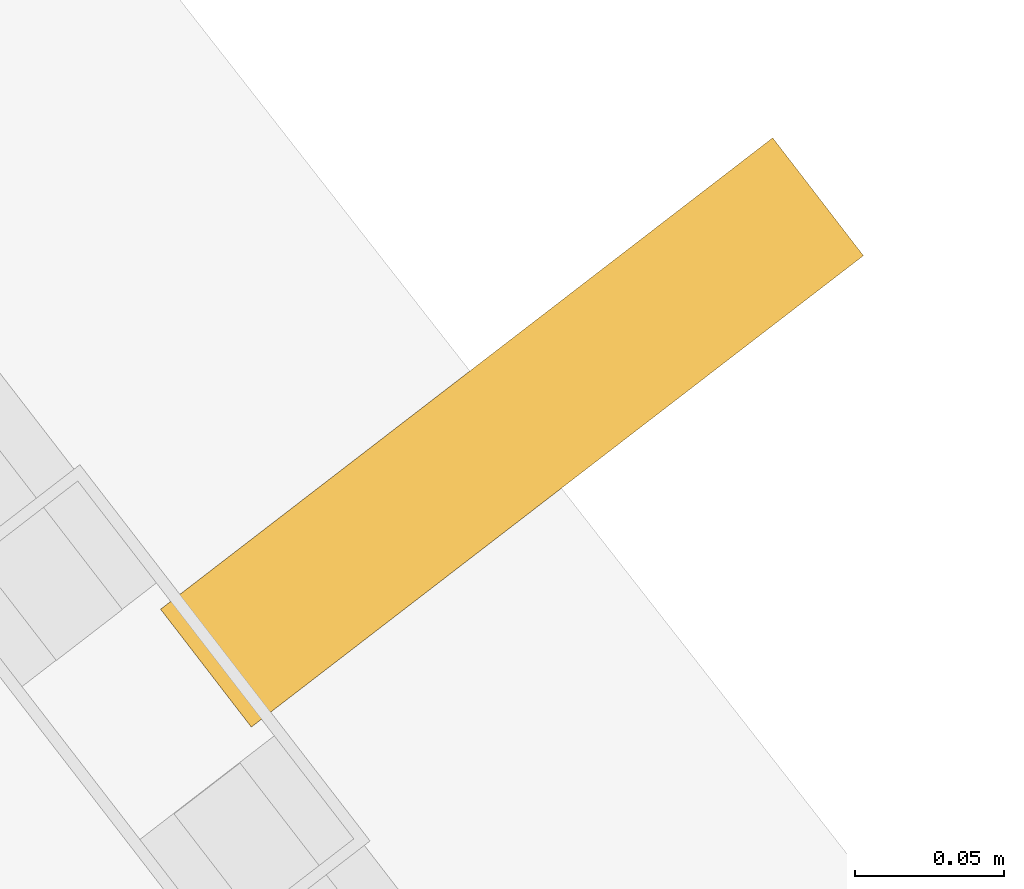
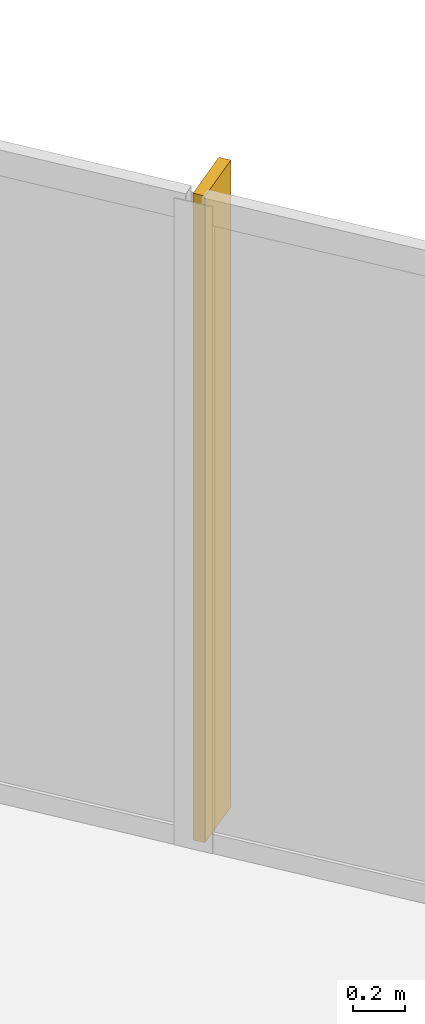
# One storey, part 30 of 30: 1 shading device.
"""IFC4 building model written with IfcOpenShell, lengths in metres."""

import ifcopenshell
import ifcopenshell.guid

model = None  # the IFC model being written
_history = None  # IfcOwnerHistory: only IFC2X3 demands one
_inside = {}  # id of a spatial element -> (the spatial element, [elements in it])
_under = {}  # id of a project, library or spatial element -> (it, [spatial elements below it])
_declared = {}  # id of a project -> (the project, [libraries it declares])
_typed = {}  # id of a type object -> (the type object, [elements of that type])
_made_of = {}  # id of a material, layer set ... -> (it, [elements and type objects made of it])


def new_model(schema):
    """Start an empty IFC model of exactly this schema.

    Asked for "IFC4X3", IfcOpenShell would pick the latest addendum, in which some entities
    have other attributes; the version numbers below select the first issue.
    IFC2X3 requires an IfcOwnerHistory on every rooted entity: one is made here for all.
    """
    global model, _history
    if schema == "IFC4X3":
        model = ifcopenshell.file(schema_version=(4, 3, 0, 0))
    else:
        model = ifcopenshell.file(schema=schema)
    _inside.clear()
    _under.clear()
    _declared.clear()
    _typed.clear()
    _made_of.clear()
    _history = None
    if model.schema == "IFC2X3":
        org = make("IfcOrganization", Name="unknown")
        user = make(
            "IfcPersonAndOrganization",
            ThePerson=make("IfcPerson", FamilyName="unknown"),
            TheOrganization=org,
        )
        app = make(
            "IfcApplication",
            ApplicationDeveloper=org,
            Version="unknown",
            ApplicationFullName="unknown",
            ApplicationIdentifier="unknown",
        )
        _history = make(
            "IfcOwnerHistory",
            OwningUser=user,
            OwningApplication=app,
            ChangeAction="ADDED",
            CreationDate=0,
        )
    return model


def make(cls, **values):
    """One entity of the class cls with the attributes given. An attribute that is None is left unset."""
    return model.create_entity(
        cls, **{name: value for name, value in values.items() if value is not None}
    )


def rooted(cls, **values):
    """An entity with a GlobalId (a new one), such as an element, a storey or a relation."""
    return make(cls, GlobalId=ifcopenshell.guid.new(), OwnerHistory=_history, **values)


def si_unit(unit_type, name, prefix=None):
    """IfcSIUnit, for example si_unit("LENGTHUNIT", "METRE", prefix="MILLI")."""
    return make("IfcSIUnit", UnitType=unit_type, Prefix=prefix, Name=name)


def assignment(units):
    """IfcUnitAssignment: the units of a project."""
    return None if units is None else make("IfcUnitAssignment", Units=units)


def point(xyz):
    """IfcCartesianPoint."""
    return None if xyz is None else make("IfcCartesianPoint", Coordinates=xyz)


def direction(xyz):
    """IfcDirection."""
    return None if xyz is None else make("IfcDirection", DirectionRatios=xyz)


def frame(location, z_axis=None, x_axis=None):
    """IfcAxis2Placement3D, a coordinate frame: its origin and axes. An axis left out is left unset."""
    return make(
        "IfcAxis2Placement3D",
        Location=point(location),
        Axis=direction(z_axis),
        RefDirection=direction(x_axis),
    )


def frame_2d(location, x_axis=None):
    """IfcAxis2Placement2D, a coordinate frame in the plane: its origin and x axis."""
    return make(
        "IfcAxis2Placement2D", Location=point(location), RefDirection=direction(x_axis)
    )


def origin():
    """The frame at (0, 0, 0) with its axes left unset."""
    return frame((0.0, 0.0, 0.0))


def origin_2d():
    """The frame at (0, 0) in the plane with its x axis left unset."""
    return frame_2d((0.0, 0.0))


def place(relative_to, where):
    """IfcLocalPlacement: puts the frame where relative to a parent placement (None: the world)."""
    return make(
        "IfcLocalPlacement", PlacementRelTo=relative_to, RelativePlacement=where
    )


def context(
    kind, dimensions, precision=None, world=None, true_north=None, identifier=None
):
    """IfcGeometricRepresentationContext, for example the 3D "Model" context."""
    return make(
        "IfcGeometricRepresentationContext",
        ContextIdentifier=identifier,
        ContextType=kind,
        CoordinateSpaceDimension=dimensions,
        Precision=precision,
        WorldCoordinateSystem=world,
        TrueNorth=true_north,
    )


def subcontext(parent, identifier, kind, view, scale=None):
    """IfcGeometricRepresentationSubContext, for example "Body" below "Model"."""
    return make(
        "IfcGeometricRepresentationSubContext",
        ContextIdentifier=identifier,
        ContextType=kind,
        ParentContext=parent,
        TargetScale=scale,
        TargetView=view,
    )


def project(units=None, contexts=None):
    """IfcProject with its units and contexts."""
    return rooted(
        "IfcProject",
        Name="project",
        RepresentationContexts=contexts,
        UnitsInContext=assignment(units),
    )


def spatial(cls, under=None, at=None, **own):
    """A site, building, storey or space (cls), placed at a placement, below another one or the project."""
    s = rooted(cls, ObjectPlacement=at, **own)
    if under is not None:
        _under.setdefault(under.id(), (under, []))[1].append(s)
    return s


def profile(cls, at=None, kind="AREA", **sizes):
    """A parametric profile (cls). Its sizes go by their IFC names, for example OverallWidth=200.0."""
    return make(cls, ProfileType=kind, Position=at, **sizes)


def rectangle(**sizes):
    """IfcRectangleProfileDef."""
    return profile("IfcRectangleProfileDef", **sizes)


def extrude(swept, where, along, depth):
    """IfcExtrudedAreaSolid: the profile swept, set in the frame where, extruded along a direction by depth."""
    return make(
        "IfcExtrudedAreaSolid",
        SweptArea=swept,
        Position=where,
        ExtrudedDirection=direction(along),
        Depth=depth,
    )


def shape(context_of_items, identifier, shape_type, items):
    """IfcShapeRepresentation: the items that make up one representation, for example the "Body"."""
    return make(
        "IfcShapeRepresentation",
        ContextOfItems=context_of_items,
        RepresentationIdentifier=identifier,
        RepresentationType=shape_type,
        Items=items,
    )


def material(Name=None, Category=None):
    """IfcMaterial."""
    return make("IfcMaterial", Name=Name, Category=Category)


def layer(
    of_material, thickness, ventilated=None, Name=None, Category=None, Priority=None
):
    """IfcMaterialLayer: one layer of a wall or slab, of a material (None: an air gap)."""
    return make(
        "IfcMaterialLayer",
        Material=of_material,
        LayerThickness=thickness,
        IsVentilated=ventilated,
        Name=Name,
        Category=Category,
        Priority=Priority,
    )


def layer_set(layers, Name=None):
    """IfcMaterialLayerSet."""
    return make("IfcMaterialLayerSet", MaterialLayers=layers, LayerSetName=Name)


def made_of(thing, what):
    """Note that an element or type object is made of a material, layer set ...; save() writes the relation."""
    if what is not None:
        _made_of.setdefault(what.id(), (what, []))[1].append(thing)
    return thing


def type_object(cls, material=None, **own):
    """A type object (cls), such as IfcWallType, which elements share."""
    return made_of(rooted(cls, **own), material)


def element(
    cls,
    number,
    at=None,
    inside=None,
    cuts=None,
    type_object=None,
    material=None,
    context=None,
    identifier="Body",
    shape_type=None,
    held_by="IfcProductDefinitionShape",
    body=None,
    shapes=None,
    **own,
):
    """One element of the class cls, such as IfcWall. Its Tag is "e" and its number.

    at: its placement. inside: the storey or other place that contains it. cuts: it is an
    opening in that element (IfcRelVoidsElement). A single representation is given by context,
    identifier, shape_type and body (its items); several are given by shapes. held_by: the class
    of the entity that holds the representations. save() writes the other relations.
    """
    e = rooted(cls, Tag="e%d" % number, ObjectPlacement=at, **own)
    if body is not None:
        shapes = [shape(context, identifier, shape_type, body)]
    if shapes is not None:
        e.Representation = make(held_by, Representations=shapes)
    if inside is not None:
        _inside.setdefault(inside.id(), (inside, []))[1].append(e)
    if cuts is not None:
        rooted(
            "IfcRelVoidsElement", RelatingBuildingElement=cuts, RelatedOpeningElement=e
        )
    if type_object is not None:
        _typed.setdefault(type_object.id(), (type_object, []))[1].append(e)
    return made_of(e, material)


def aggregate(whole, parts):
    """IfcRelAggregates: a whole, such as a stair, and the parts it consists of."""
    return rooted("IfcRelAggregates", RelatingObject=whole, RelatedObjects=parts)


def save(model, path):
    """Write the relations noted so far, then the file.

    IfcRelAggregates (storeys below a building ...), IfcRelContainedInSpatialStructure (elements
    in a storey), IfcRelDefinesByType, IfcRelAssociatesMaterial and IfcRelDeclares: one each for
    every whole, place, type object, material and project.
    """
    for whole, parts in _under.values():
        aggregate(whole, parts)
    for where, things in _inside.values():
        rooted(
            "IfcRelContainedInSpatialStructure",
            RelatedElements=things,
            RelatingStructure=where,
        )
    for kind, things in _typed.values():
        rooted("IfcRelDefinesByType", RelatedObjects=things, RelatingType=kind)
    for what, things in _made_of.values():
        rooted("IfcRelAssociatesMaterial", RelatedObjects=things, RelatingMaterial=what)
    for by, libraries in _declared.values():
        rooted("IfcRelDeclares", RelatingContext=by, RelatedDefinitions=libraries)
    model.write(path)


model = new_model("IFC4")

# Units and contexts
model_context = context("Model", 3, precision=1e-05, world=origin(), true_north=direction((0.0, 1.0)))
body_context = subcontext(model_context, "Body", "Model", "MODEL_VIEW")
ifc_project = project(units=[si_unit("LENGTHUNIT", "METRE"), si_unit("AREAUNIT", "SQUARE_METRE"), si_unit("VOLUMEUNIT", "CUBIC_METRE"), si_unit("PLANEANGLEUNIT", "RADIAN"), si_unit("MASSUNIT", "GRAM", prefix="KILO")], contexts=[model_context])

# Site, building, storey
site_placement = place(None, origin())
site = spatial("IfcSite", under=ifc_project, at=site_placement, CompositionType="ELEMENT")
building_placement = place(site_placement, origin())
building = spatial("IfcBuilding", under=site, at=building_placement, Name="Orvanel Arch Residences", CompositionType="ELEMENT")
storey_placement = place(building_placement, frame((0.0, 0.0, 232.699951171875)))
storey = spatial("IfcBuildingStorey", under=building, at=storey_placement, Name="L66", CompositionType="ELEMENT", Elevation=232.699951171875)

# Shading device
ifc_material = material(Name="Bronze-anodised aluminium AA6063-T6", Category="aluminium")
ifc_layer = layer(ifc_material, 0.050048828125)
ifc_layer_set = layer_set([ifc_layer], Name="Bronze-anodised aluminium AA6063-T6")
shading_device_type = type_object("IfcShadingDeviceType", Name="FIN-BRZ-260", PredefinedType="USERDEFINED", material=ifc_layer_set)
shading_device_placement = place(storey_placement, frame((40.02587890625, 38.865966796875, 0.0), z_axis=(0.0, 0.0, 1.0), x_axis=(0.792289643355, 0.610145163901, 0.0)))
element("IfcShadingDevice", 1, at=shading_device_placement, inside=storey, type_object=shading_device_type, Name="L66 Anodised Bronze Mullion FIN 01", ObjectType="FIN", PredefinedType="USERDEFINED", context=body_context, shape_type="SweptSolid", body=[
    extrude(rectangle(XDim=0.260009765625, YDim=0.050048828125, at=origin_2d()), origin(), (0.0, 0.0, 1.0), 3.02001953125),
])

save(model, "model.ifc")
